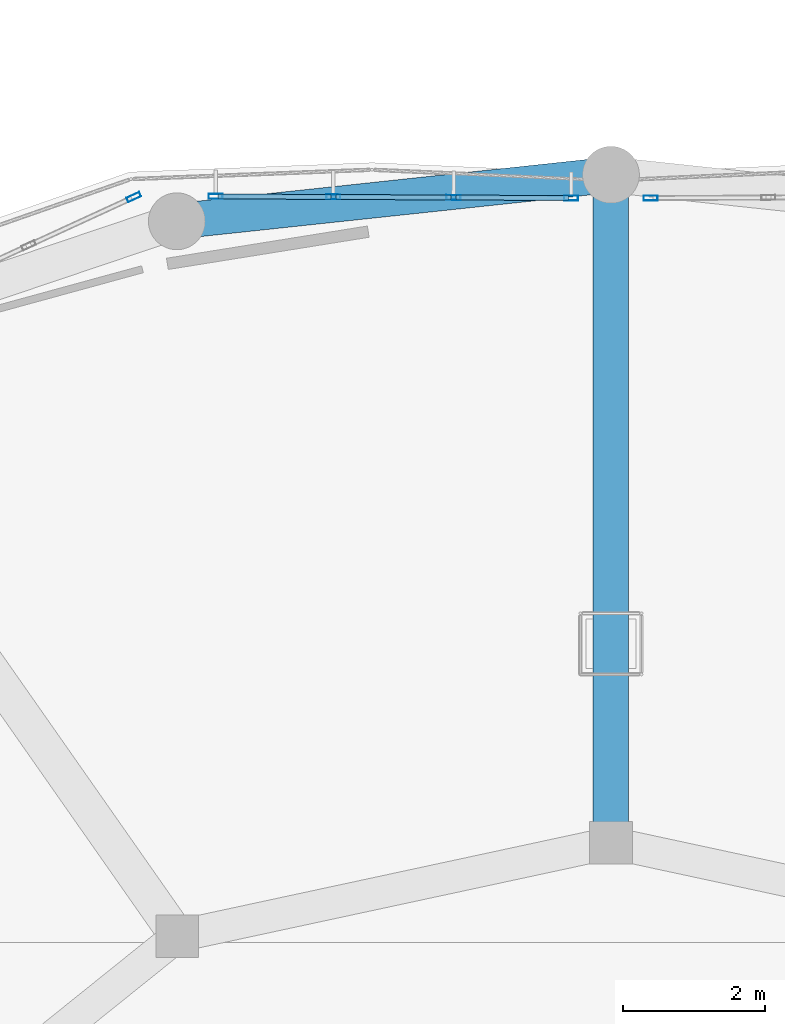
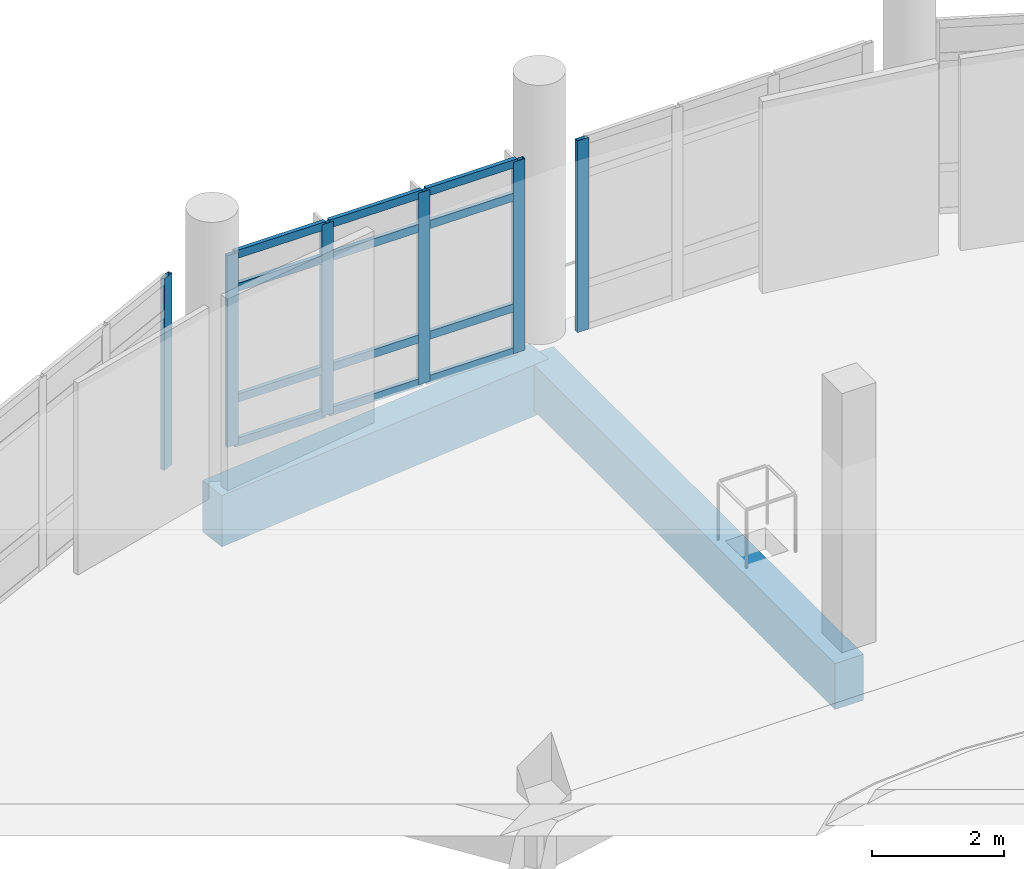
# One storey, part 13 of 63: 18 members, 2 beams, 3 elements without a shape of their own.
"""IFC4 building model written with IfcOpenShell, lengths in metres."""

from ifc_helpers import new_model, si_unit, derived_unit, direction, frame, origin, origin_2d, place, context, subcontext, project, spatial, rectangle, hollow_rectangle, extrude, material, layer, layer_set, material_profile, profile_set, type_object, element, aggregate, save


model = new_model("IFC4")

# Units and contexts
model_context = context("Model", 3, precision=1e-05, world=origin(), true_north=direction((0.0, 1.0)))
body_context = subcontext(model_context, "Body", "Model", "MODEL_VIEW")
ifc_project = project(units=[si_unit("LENGTHUNIT", "METRE"), si_unit("AREAUNIT", "SQUARE_METRE"), si_unit("VOLUMEUNIT", "CUBIC_METRE"), si_unit("PLANEANGLEUNIT", "RADIAN"), si_unit("MASSUNIT", "GRAM", prefix="KILO"), derived_unit("THERMALTRANSMITTANCEUNIT", [(si_unit("POWERUNIT", "WATT"), 1), (si_unit("LENGTHUNIT", "METRE"), -2), (si_unit("THERMODYNAMICTEMPERATUREUNIT", "KELVIN"), -1)])], contexts=[model_context])

# Site, building, storey
site_placement = place(None, origin())
site = spatial("IfcSite", under=ifc_project, at=site_placement, CompositionType="ELEMENT")
building_placement = place(site_placement, origin())
building = spatial("IfcBuilding", under=site, at=building_placement, Name="Elbkamm Science Centre", CompositionType="ELEMENT")
storey_placement = place(building_placement, frame((0.0, 0.0, 5.10009765625)))
storey = spatial("IfcBuildingStorey", under=building, at=storey_placement, Name="L01", CompositionType="ELEMENT", Elevation=5.10009765625)

# Beams
ifc_material_1 = material(Name="Concrete C40/50", Category="concrete")
ifc_material_profile_1 = material_profile(ifc_material_1, rectangle(XDim=0.5, YDim=0.85009765625, at=origin_2d()), Name="RC 500x850")
ifc_profile_set_1 = profile_set([ifc_material_profile_1], Name="Concrete C40/50")
beam_type_1 = type_object("IfcBeamType", Name="BM-RC-500x850", PredefinedType="BEAM", material=ifc_profile_set_1)
beam_1_placement = place(storey_placement, frame((63.0, 77.0, -0.8251953125), z_axis=(0.0, 1.0, 0.0), x_axis=(-1.0, 0.0, 0.0)))
element("IfcBeam", 1, at=beam_1_placement, inside=storey, type_object=beam_type_1, Name="L01 Elliptical Radial Girder 04", PredefinedType="BEAM", context=body_context, shape_type="SweptSolid", body=[
    extrude(rectangle(XDim=0.5, YDim=0.85009765625, at=origin_2d()), origin(), (0.0, 0.0, 1.0), 9.39990234375),
])
ifc_material_profile_2 = material_profile(ifc_material_1, rectangle(XDim=0.5, YDim=0.949951171875, at=origin_2d()), Name="RC 500x950")
ifc_profile_set_2 = profile_set([ifc_material_profile_2], Name="Concrete C40/50")
beam_type_2 = type_object("IfcBeamType", Name="BM-RC-500x950", PredefinedType="BEAM", material=ifc_profile_set_2)
beam_2_placement = place(storey_placement, frame((63.0, 86.39990234375, -0.875), z_axis=(-0.994319674005, -0.106434890358, 0.0), x_axis=(0.106434890358, -0.994319674005, 0.0)))
element("IfcBeam", 2, at=beam_2_placement, inside=storey, type_object=beam_type_2, Name="L01 Elliptical Shell Perimeter Ring Beam 07", PredefinedType="SPANDREL", context=body_context, shape_type="SweptSolid", body=[
    extrude(rectangle(XDim=0.5, YDim=0.949951171875, at=origin_2d()), origin(), (0.0, 0.0, 1.0), 6.142822265625),
])

# Curtain wall, member
ifc_material_2 = material(Name="Powder-coated aluminium and triple low-E glazing", Category="aluminium")
ifc_layer_1 = layer(ifc_material_2, 0.159912109375)
ifc_layer_set_1 = layer_set([ifc_layer_1], Name="Powder-coated aluminium and triple low-E glazing")
curtain_wall_type_1 = type_object("IfcCurtainWallType", Name="CW-UNIT-5080x3560", PredefinedType="USERDEFINED", material=ifc_layer_set_1)
curtain_wall_1_placement = place(storey_placement, origin())
curtain_wall_1 = element("IfcCurtainWall", 3, at=curtain_wall_1_placement, inside=storey, type_object=curtain_wall_type_1, Name="L01 Unitised Curtain Wall 008", ObjectType="UNITISED CURTAIN WALL", PredefinedType="USERDEFINED")
ifc_material_3 = material(Name="Powder-coated aluminium EN AW-6060", Category="aluminium")
ifc_material_profile_3 = material_profile(ifc_material_3, hollow_rectangle(XDim=0.070068359375, YDim=0.199951171875, WallThickness=0.00439453125, at=origin_2d()), Name="ALU M70x200")
ifc_profile_set_3 = profile_set([ifc_material_profile_3], Name="Powder-coated aluminium EN AW-6060")
member_type_1 = type_object("IfcMemberType", Name="CW-MUL-70x200", PredefinedType="MULLION", material=ifc_profile_set_3)
member_1_placement = place(storey_placement, frame((63.5595703125, 86.072509765625, 0.0), z_axis=(0.0, 0.0, 1.0), x_axis=(0.004632865661, -0.99998926822, 0.0)))
member_1 = element("IfcMember", 4, at=member_1_placement, type_object=member_type_1, Name="CW-006 mullion 4", PredefinedType="MULLION", context=body_context, shape_type="SweptSolid", body=[
    extrude(hollow_rectangle(XDim=0.070068359375, YDim=0.199951171875, WallThickness=0.00439453125, at=origin_2d()), origin(), (0.0, 0.0, 1.0), 3.5498046875),
])
aggregate(curtain_wall_1, [member_1])

# Curtain wall, members
curtain_wall_2_placement = place(storey_placement, origin())
curtain_wall_2 = element("IfcCurtainWall", 5, at=curtain_wall_2_placement, inside=storey, type_object=curtain_wall_type_1, Name="L01 Unitised Curtain Wall 009", ObjectType="UNITISED CURTAIN WALL", PredefinedType="USERDEFINED")
member_2_placement = place(storey_placement, frame((62.4404296875, 86.072509765625, 0.0), z_axis=(0.0, 0.0, 1.0), x_axis=(-0.004632865661, -0.99998926822, 0.0)))
member_2 = element("IfcMember", 6, at=member_2_placement, type_object=member_type_1, Name="CW-006 mullion 1", PredefinedType="MULLION", context=body_context, shape_type="SweptSolid", body=[
    extrude(hollow_rectangle(XDim=0.070068359375, YDim=0.199951171875, WallThickness=0.00439453125, at=origin_2d()), origin(), (0.0, 0.0, 1.0), 3.5498046875),
])
member_3_placement = place(storey_placement, frame((60.78466796875, 86.080322265625, 0.0), z_axis=(0.0, 0.0, 1.0), x_axis=(-0.004632865661, -0.99998926822, 0.0)))
member_3 = element("IfcMember", 7, at=member_3_placement, type_object=member_type_1, Name="CW-006 mullion 2", PredefinedType="MULLION", context=body_context, shape_type="SweptSolid", body=[
    extrude(hollow_rectangle(XDim=0.070068359375, YDim=0.199951171875, WallThickness=0.00439453125, at=origin_2d()), origin(), (0.0, 0.0, 1.0), 3.5498046875),
])
member_4_placement = place(storey_placement, frame((59.093994140625, 86.088134765625, 0.0), z_axis=(0.0, 0.0, 1.0), x_axis=(-0.004632865661, -0.99998926822, 0.0)))
member_4 = element("IfcMember", 8, at=member_4_placement, type_object=member_type_1, Name="CW-006 mullion 3", PredefinedType="MULLION", context=body_context, shape_type="SweptSolid", body=[
    extrude(hollow_rectangle(XDim=0.070068359375, YDim=0.199951171875, WallThickness=0.00439453125, at=origin_2d()), origin(), (0.0, 0.0, 1.0), 3.5498046875),
])
member_5_placement = place(storey_placement, frame((57.43798828125, 86.095703125, 0.0), z_axis=(0.0, 0.0, 1.0), x_axis=(-0.004632865661, -0.99998926822, 0.0)))
member_5 = element("IfcMember", 9, at=member_5_placement, type_object=member_type_1, Name="CW-006 mullion 4", PredefinedType="MULLION", context=body_context, shape_type="SweptSolid", body=[
    extrude(hollow_rectangle(XDim=0.070068359375, YDim=0.199951171875, WallThickness=0.00439453125, at=origin_2d()), origin(), (0.0, 0.0, 1.0), 3.5498046875),
])

# Curtain wall, member
ifc_layer_2 = layer(ifc_material_2, 0.159912109375)
ifc_layer_set_2 = layer_set([ifc_layer_2], Name="Powder-coated aluminium and triple low-E glazing")
curtain_wall_type_2 = type_object("IfcCurtainWallType", Name="CW-UNIT-4980x3560", PredefinedType="USERDEFINED", material=ifc_layer_set_2)
curtain_wall_3_placement = place(storey_placement, origin())
curtain_wall_3 = element("IfcCurtainWall", 10, at=curtain_wall_3_placement, inside=storey, type_object=curtain_wall_type_2, Name="L01 Unitised Curtain Wall 010", ObjectType="UNITISED CURTAIN WALL", PredefinedType="USERDEFINED")
member_6_placement = place(storey_placement, frame((56.286376953125, 86.086181640625, 0.0), z_axis=(0.0, 0.0, 1.0), x_axis=(0.417704670458, -0.908582857134, 0.0)))
member_6 = element("IfcMember", 11, at=member_6_placement, type_object=member_type_1, Name="CW-005 mullion 1", PredefinedType="MULLION", context=body_context, shape_type="SweptSolid", body=[
    extrude(hollow_rectangle(XDim=0.070068359375, YDim=0.199951171875, WallThickness=0.00439453125, at=origin_2d()), origin(), (0.0, 0.0, 1.0), 3.5498046875),
])
aggregate(curtain_wall_3, [member_6])

# Member
ifc_material_profile_4 = material_profile(ifc_material_3, hollow_rectangle(XDim=0.070068359375, YDim=0.14990234375, WallThickness=0.00390625, at=origin_2d()), Name="ALU T70x150")
ifc_profile_set_4 = profile_set([ifc_material_profile_4], Name="Powder-coated aluminium EN AW-6060")
member_type_2 = type_object("IfcMemberType", Name="CW-TRN-70x150", PredefinedType="USERDEFINED", material=ifc_profile_set_4)
member_7_placement = place(storey_placement, frame((62.405517578125, 86.07275390625, 0.034912109375), z_axis=(-0.999989336162, 0.004618177353, 0.0), x_axis=(-0.004618177353, -0.999989336162, 0.0)))
member_7 = element("IfcMember", 12, at=member_7_placement, type_object=member_type_2, Name="CW-006 transom 1.1", ObjectType="TRANSOM", PredefinedType="USERDEFINED", context=body_context, shape_type="SweptSolid", body=[
    extrude(hollow_rectangle(XDim=0.070068359375, YDim=0.14990234375, WallThickness=0.00390625, at=origin_2d()), origin(), (0.0, 0.0, 1.0), 1.5859375),
])

member_8_placement = place(storey_placement, frame((62.405517578125, 86.07275390625, 0.849853515625), z_axis=(-0.999989336162, 0.004618177353, 0.0), x_axis=(-0.004618177353, -0.999989336162, 0.0)))
member_8 = element("IfcMember", 13, at=member_8_placement, type_object=member_type_2, Name="CW-006 transom 1.2", ObjectType="TRANSOM", PredefinedType="USERDEFINED", context=body_context, shape_type="SweptSolid", body=[
    extrude(hollow_rectangle(XDim=0.070068359375, YDim=0.14990234375, WallThickness=0.00390625, at=origin_2d()), origin(), (0.0, 0.0, 1.0), 1.5859375),
])

member_9_placement = place(storey_placement, frame((62.405517578125, 86.07275390625, 2.89990234375), z_axis=(-0.999989336162, 0.004618177353, 0.0), x_axis=(-0.004618177353, -0.999989336162, 0.0)))
member_9 = element("IfcMember", 14, at=member_9_placement, type_object=member_type_2, Name="CW-006 transom 1.3", ObjectType="TRANSOM", PredefinedType="USERDEFINED", context=body_context, shape_type="SweptSolid", body=[
    extrude(hollow_rectangle(XDim=0.070068359375, YDim=0.14990234375, WallThickness=0.00390625, at=origin_2d()), origin(), (0.0, 0.0, 1.0), 1.5859375),
])

member_10_placement = place(storey_placement, frame((62.405517578125, 86.07275390625, 3.514892578125), z_axis=(-0.999989336162, 0.004618177353, 0.0), x_axis=(-0.004618177353, -0.999989336162, 0.0)))
member_10 = element("IfcMember", 15, at=member_10_placement, type_object=member_type_2, Name="CW-006 transom 1.4", ObjectType="TRANSOM", PredefinedType="USERDEFINED", context=body_context, shape_type="SweptSolid", body=[
    extrude(hollow_rectangle(XDim=0.070068359375, YDim=0.14990234375, WallThickness=0.00390625, at=origin_2d()), origin(), (0.0, 0.0, 1.0), 1.5859375),
])

member_11_placement = place(storey_placement, frame((60.749755859375, 86.080322265625, 0.034912109375), z_axis=(-0.999989098633, 0.004669327016, 0.0), x_axis=(-0.004669327016, -0.999989098633, 0.0)))
member_11 = element("IfcMember", 16, at=member_11_placement, type_object=member_type_2, Name="CW-006 transom 2.1", ObjectType="TRANSOM", PredefinedType="USERDEFINED", context=body_context, shape_type="SweptSolid", body=[
    extrude(hollow_rectangle(XDim=0.070068359375, YDim=0.14990234375, WallThickness=0.00390625, at=origin_2d()), origin(), (0.0, 0.0, 1.0), 1.620849609375),
])

member_12_placement = place(storey_placement, frame((60.749755859375, 86.080322265625, 0.849853515625), z_axis=(-0.999989098633, 0.004669327016, 0.0), x_axis=(-0.004669327016, -0.999989098633, 0.0)))
member_12 = element("IfcMember", 17, at=member_12_placement, type_object=member_type_2, Name="CW-006 transom 2.2", ObjectType="TRANSOM", PredefinedType="USERDEFINED", context=body_context, shape_type="SweptSolid", body=[
    extrude(hollow_rectangle(XDim=0.070068359375, YDim=0.14990234375, WallThickness=0.00390625, at=origin_2d()), origin(), (0.0, 0.0, 1.0), 1.620849609375),
])

member_13_placement = place(storey_placement, frame((60.749755859375, 86.080322265625, 2.89990234375), z_axis=(-0.999989098633, 0.004669327016, 0.0), x_axis=(-0.004669327016, -0.999989098633, 0.0)))
member_13 = element("IfcMember", 18, at=member_13_placement, type_object=member_type_2, Name="CW-006 transom 2.3", ObjectType="TRANSOM", PredefinedType="USERDEFINED", context=body_context, shape_type="SweptSolid", body=[
    extrude(hollow_rectangle(XDim=0.070068359375, YDim=0.14990234375, WallThickness=0.00390625, at=origin_2d()), origin(), (0.0, 0.0, 1.0), 1.620849609375),
])

member_14_placement = place(storey_placement, frame((60.749755859375, 86.080322265625, 3.514892578125), z_axis=(-0.999989098633, 0.004669327016, 0.0), x_axis=(-0.004669327016, -0.999989098633, 0.0)))
member_14 = element("IfcMember", 19, at=member_14_placement, type_object=member_type_2, Name="CW-006 transom 2.4", ObjectType="TRANSOM", PredefinedType="USERDEFINED", context=body_context, shape_type="SweptSolid", body=[
    extrude(hollow_rectangle(XDim=0.070068359375, YDim=0.14990234375, WallThickness=0.00390625, at=origin_2d()), origin(), (0.0, 0.0, 1.0), 1.620849609375),
])

member_15_placement = place(storey_placement, frame((59.058837890625, 86.088134765625, 0.034912109375), z_axis=(-0.999989332878, 0.004618888374, 0.0), x_axis=(-0.004618888374, -0.999989332878, 0.0)))
member_15 = element("IfcMember", 20, at=member_15_placement, type_object=member_type_2, Name="CW-006 transom 3.1", ObjectType="TRANSOM", PredefinedType="USERDEFINED", context=body_context, shape_type="SweptSolid", body=[
    extrude(hollow_rectangle(XDim=0.070068359375, YDim=0.14990234375, WallThickness=0.00390625, at=origin_2d()), origin(), (0.0, 0.0, 1.0), 1.585693359375),
])

member_16_placement = place(storey_placement, frame((59.058837890625, 86.088134765625, 0.849853515625), z_axis=(-0.999989332878, 0.004618888374, 0.0), x_axis=(-0.004618888374, -0.999989332878, 0.0)))
member_16 = element("IfcMember", 21, at=member_16_placement, type_object=member_type_2, Name="CW-006 transom 3.2", ObjectType="TRANSOM", PredefinedType="USERDEFINED", context=body_context, shape_type="SweptSolid", body=[
    extrude(hollow_rectangle(XDim=0.070068359375, YDim=0.14990234375, WallThickness=0.00390625, at=origin_2d()), origin(), (0.0, 0.0, 1.0), 1.585693359375),
])

member_17_placement = place(storey_placement, frame((59.058837890625, 86.088134765625, 2.89990234375), z_axis=(-0.999989332878, 0.004618888374, 0.0), x_axis=(-0.004618888374, -0.999989332878, 0.0)))
member_17 = element("IfcMember", 22, at=member_17_placement, type_object=member_type_2, Name="CW-006 transom 3.3", ObjectType="TRANSOM", PredefinedType="USERDEFINED", context=body_context, shape_type="SweptSolid", body=[
    extrude(hollow_rectangle(XDim=0.070068359375, YDim=0.14990234375, WallThickness=0.00390625, at=origin_2d()), origin(), (0.0, 0.0, 1.0), 1.585693359375),
])

member_18_placement = place(storey_placement, frame((59.058837890625, 86.088134765625, 3.514892578125), z_axis=(-0.999989332878, 0.004618888374, 0.0), x_axis=(-0.004618888374, -0.999989332878, 0.0)))
member_18 = element("IfcMember", 23, at=member_18_placement, type_object=member_type_2, Name="CW-006 transom 3.4", ObjectType="TRANSOM", PredefinedType="USERDEFINED", context=body_context, shape_type="SweptSolid", body=[
    extrude(hollow_rectangle(XDim=0.070068359375, YDim=0.14990234375, WallThickness=0.00390625, at=origin_2d()), origin(), (0.0, 0.0, 1.0), 1.585693359375),
])

aggregate(curtain_wall_2, [member_2, member_3, member_4, member_5, member_7, member_8, member_9, member_10, member_11, member_12, member_13, member_14, member_15, member_16, member_17, member_18])

save(model, "model.ifc")
